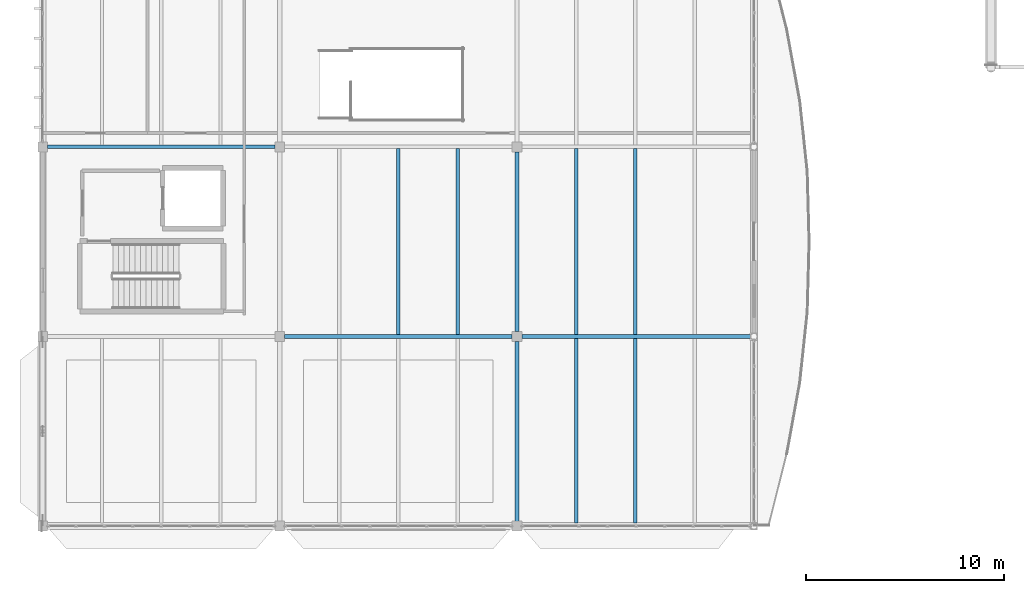
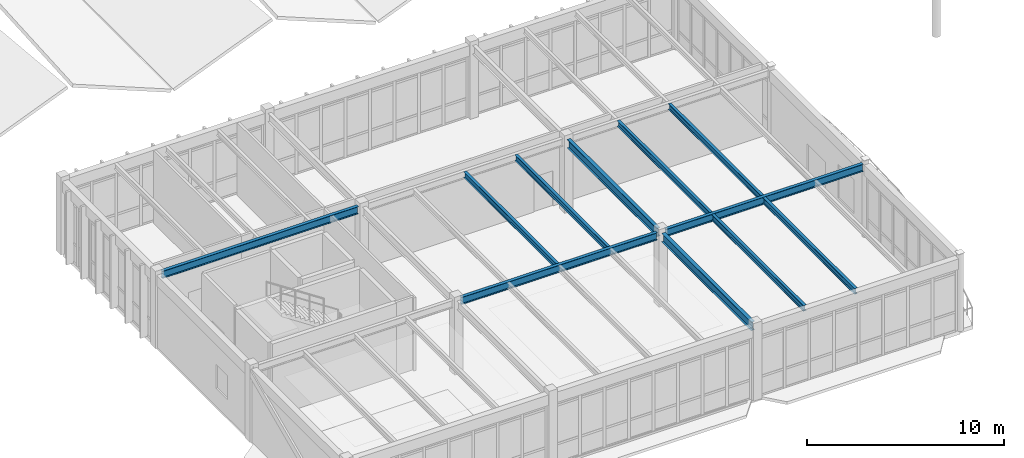
# One storey, part 16 of 236: 11 beams.
"""IFC4 building model written with IfcOpenShell, lengths in metres."""

from ifc_helpers import new_model, si_unit, direction, frame, origin, origin_2d, place, context, subcontext, project, spatial, i_section, extrude, material, material_profile, profile_set, type_object, element, save


model = new_model("IFC4")

# Units and contexts
model_context = context("Model", 3, precision=1e-05, world=origin(), true_north=direction((0.0, 1.0)))
body_context = subcontext(model_context, "Body", "Model", "MODEL_VIEW")
ifc_project = project(units=[si_unit("LENGTHUNIT", "METRE"), si_unit("AREAUNIT", "SQUARE_METRE"), si_unit("VOLUMEUNIT", "CUBIC_METRE"), si_unit("PLANEANGLEUNIT", "RADIAN"), si_unit("MASSUNIT", "GRAM", prefix="KILO")], contexts=[model_context])

# Site, building, storey
site_placement = place(None, origin())
site = spatial("IfcSite", under=ifc_project, at=site_placement, CompositionType="ELEMENT")
building_placement = place(site_placement, origin())
building = spatial("IfcBuilding", under=site, at=building_placement, Name="Pandanus Reach Market Hall", CompositionType="ELEMENT")
storey_placement = place(building_placement, frame((0.0, 0.0, 5.39990234375)))
storey = spatial("IfcBuildingStorey", under=building, at=storey_placement, Name="L01", CompositionType="ELEMENT", Elevation=5.39990234375)

# Beams
ifc_material = material(Name="Steel Grade 350 (350 MPa)", Category="steel")
ifc_material_profile_1 = material_profile(ifc_material, i_section(OverallWidth=0.18994140625, OverallDepth=0.45703125, WebThickness=0.009033203125, FlangeThickness=0.014404296875, at=origin_2d()), Name="460UB74.6", Category="LoadBearing")
ifc_profile_set_1 = profile_set([ifc_material_profile_1], Name="Steel Grade 350 (350 MPa)")
beam_type_1 = type_object("IfcBeamType", Name="BM-UB460-I", PredefinedType="BEAM", material=ifc_profile_set_1)
beam_1_placement = place(storey_placement, frame((12.248046875, 9.60009765625, 4.30615234375), z_axis=(1.0, 0.0, 0.0), x_axis=(0.0, 1.0, 0.0)))
element("IfcBeam", 1, at=beam_1_placement, inside=storey, type_object=beam_type_1, Name="Framing beam BM-UB460-I L01.970", PredefinedType="BEAM", context=body_context, shape_type="SweptSolid", body=[
    extrude(i_section(OverallWidth=0.18994140625, OverallDepth=0.45703125, WebThickness=0.009033203125, FlangeThickness=0.014404296875, at=origin_2d()), origin(), (0.0, 0.0, 1.0), 11.50390625),
])
beam_2_placement = place(storey_placement, frame((24.248046875, 9.60009765625, 4.326171875), z_axis=(1.0, 0.0, 0.0), x_axis=(0.0, 1.0, 0.0)))
element("IfcBeam", 2, at=beam_2_placement, inside=storey, type_object=beam_type_1, Name="Framing beam BM-UB460-I L01.971", PredefinedType="BEAM", context=body_context, shape_type="SweptSolid", body=[
    extrude(i_section(OverallWidth=0.18994140625, OverallDepth=0.45703125, WebThickness=0.009033203125, FlangeThickness=0.014404296875, at=origin_2d()), origin(), (0.0, 0.0, 1.0), 11.576171875),
])
beam_3_placement = place(storey_placement, frame((0.248046875, 19.199951171875, 4.30615234375), z_axis=(1.0, 0.0, 0.0), x_axis=(0.0, 1.0, 0.0)))
element("IfcBeam", 3, at=beam_3_placement, inside=storey, type_object=beam_type_1, Name="Framing beam BM-UB460-I L01.972", PredefinedType="BEAM", context=body_context, shape_type="SweptSolid", body=[
    extrude(i_section(OverallWidth=0.18994140625, OverallDepth=0.45703125, WebThickness=0.009033203125, FlangeThickness=0.014404296875, at=origin_2d()), origin(), (0.0, 0.0, 1.0), 11.50390625),
])
ifc_material_profile_2 = material_profile(ifc_material, i_section(OverallWidth=0.208984375, OverallDepth=0.532958984375, WebThickness=0.01025390625, FlangeThickness=0.015625, at=origin_2d()), Name="530UB92.4", Category="LoadBearing")
ifc_profile_set_2 = profile_set([ifc_material_profile_2], Name="Steel Grade 350 (350 MPa)")
beam_type_2 = type_object("IfcBeamType", Name="BM-UB530-I", PredefinedType="BEAM", material=ifc_profile_set_2)
for number, where, z_axis, x_axis, name in (
    (4, (24.0, 0.248046875, 4.268310546875), (0.0, 1.0, 0.0), (-1.0, 0.0, 0.0), "Framing beam BM-UB530-I L01.984"),
    (5, (24.0, 9.847900390625, 4.268310546875), (0.0, 1.0, 0.0), (-1.0, 0.0, 0.0), "Framing beam BM-UB530-I L01.985"),
):
    element("IfcBeam", number, at=place(storey_placement, frame(where, z_axis=z_axis, x_axis=x_axis)), inside=storey, type_object=beam_type_2, Name=name, PredefinedType="BEAM", context=body_context, shape_type="SweptSolid", body=[
        extrude(i_section(OverallWidth=0.208984375, OverallDepth=0.532958984375, WebThickness=0.01025390625, FlangeThickness=0.015625, at=origin_2d()), origin(), (0.0, 0.0, 1.0), 9.10400390625),
    ])
ifc_material_profile_3 = material_profile(ifc_material, i_section(OverallWidth=0.1708984375, OverallDepth=0.35595703125, WebThickness=0.00732421875, FlangeThickness=0.011474609375, at=origin_2d()), Name="360UB50.7", Category="LoadBearing")
ifc_profile_set_3 = profile_set([ifc_material_profile_3], Name="Steel Grade 350 (350 MPa)")
beam_type_3 = type_object("IfcBeamType", Name="JS-UB360-I", PredefinedType="JOIST", material=ifc_profile_set_3)
for number, where, z_axis, x_axis, name in (
    (6, (18.0, 9.693115234375, 4.356689453125), (0.0, 1.0, 0.0), (-1.0, 0.0, 0.0), "Secondary joist JS-UB360-I L01.1000"),
    (7, (21.0, 9.693115234375, 4.356689453125), (0.0, 1.0, 0.0), (-1.0, 0.0, 0.0), "Secondary joist JS-UB360-I L01.1001"),
):
    element("IfcBeam", number, at=place(storey_placement, frame(where, z_axis=z_axis, x_axis=x_axis)), inside=storey, type_object=beam_type_3, Name=name, PredefinedType="JOIST", context=body_context, shape_type="SweptSolid", body=[
        extrude(i_section(OverallWidth=0.1708984375, OverallDepth=0.35595703125, WebThickness=0.00732421875, FlangeThickness=0.011474609375, at=origin_2d()), origin(), (0.0, 0.0, 1.0), 9.413818359375),
    ])
for number, where, z_axis, x_axis, name in (
    (8, (27.0, 0.173095703125, 4.376708984375), (0.0, 1.0, 0.0), (-1.0, 0.0, 0.0), "Secondary joist JS-UB360-I L01.1002"),
    (9, (30.0, 0.173095703125, 4.376708984375), (0.0, 1.0, 0.0), (-1.0, 0.0, 0.0), "Secondary joist JS-UB360-I L01.1003"),
):
    element("IfcBeam", number, at=place(storey_placement, frame(where, z_axis=z_axis, x_axis=x_axis)), inside=storey, type_object=beam_type_3, Name=name, PredefinedType="JOIST", context=body_context, shape_type="SweptSolid", body=[
        extrude(i_section(OverallWidth=0.1708984375, OverallDepth=0.35595703125, WebThickness=0.00732421875, FlangeThickness=0.011474609375, at=origin_2d()), origin(), (0.0, 0.0, 1.0), 9.333984375),
    ])
for number, where, z_axis, x_axis, name in (
    (10, (27.0, 9.693115234375, 4.376708984375), (0.0, 1.0, 0.0), (-1.0, 0.0, 0.0), "Secondary joist JS-UB360-I L01.1005"),
    (11, (30.0, 9.693115234375, 4.376708984375), (0.0, 1.0, 0.0), (-1.0, 0.0, 0.0), "Secondary joist JS-UB360-I L01.1006"),
):
    element("IfcBeam", number, at=place(storey_placement, frame(where, z_axis=z_axis, x_axis=x_axis)), inside=storey, type_object=beam_type_3, Name=name, PredefinedType="JOIST", context=body_context, shape_type="SweptSolid", body=[
        extrude(i_section(OverallWidth=0.1708984375, OverallDepth=0.35595703125, WebThickness=0.00732421875, FlangeThickness=0.011474609375, at=origin_2d()), origin(), (0.0, 0.0, 1.0), 9.413818359375),
    ])

save(model, "model.ifc")
